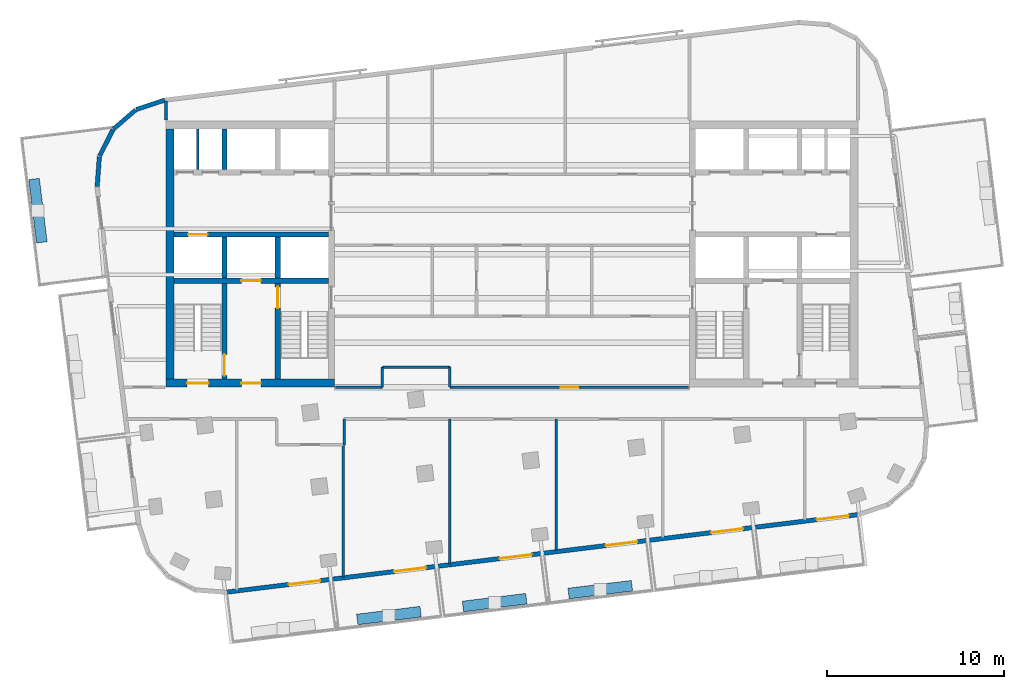
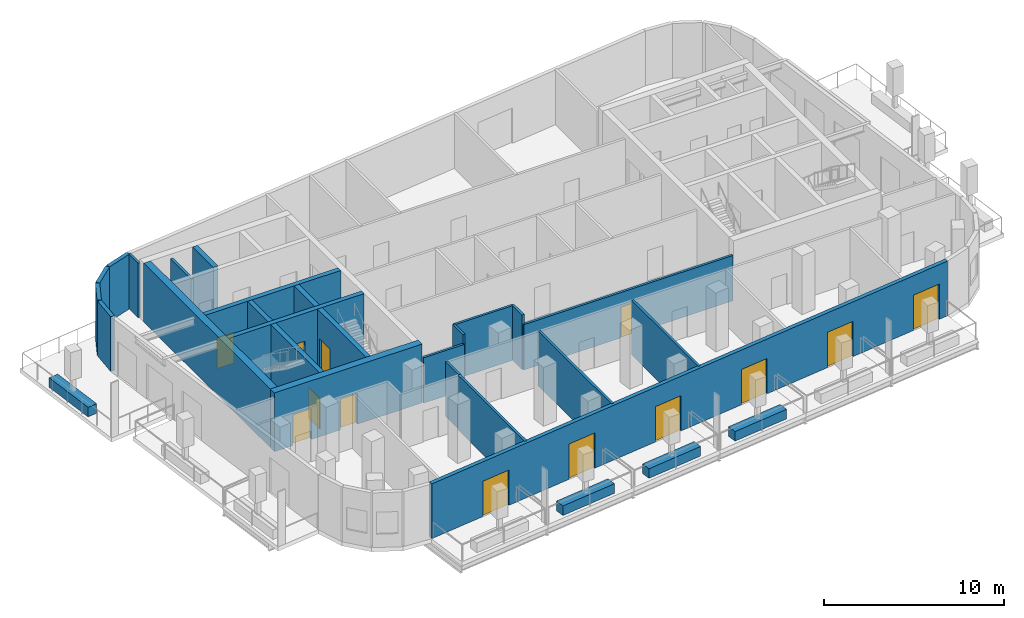
# One storey, part 3 of 10: 29 walls, 13 doors, 13 openings.
"""IFC4 building model written with IfcOpenShell, lengths in metres."""

from ifc_helpers import new_model, si_unit, direction, frame, frame_2d, origin, place, context, subcontext, project, spatial, rectangle, extrude, material, layer, layer_set, type_object, element, fill, save


model = new_model("IFC4")

# Units and contexts
model_context = context("Model", 3, precision=1e-05, world=origin(), true_north=direction((0.0, 1.0)))
body_context = subcontext(model_context, "Body", "Model", "MODEL_VIEW")
ifc_project = project(units=[si_unit("LENGTHUNIT", "METRE"), si_unit("AREAUNIT", "SQUARE_METRE"), si_unit("VOLUMEUNIT", "CUBIC_METRE"), si_unit("PLANEANGLEUNIT", "RADIAN"), si_unit("MASSUNIT", "GRAM", prefix="KILO")], contexts=[model_context])

# Site, building, storey
site_placement = place(None, origin())
site = spatial("IfcSite", under=ifc_project, at=site_placement, CompositionType="ELEMENT")
building_placement = place(site_placement, origin())
building = spatial("IfcBuilding", under=site, at=building_placement, Name="Torana Hotel and Residences", CompositionType="ELEMENT")
storey_placement = place(building_placement, frame((0.0, 0.0, 334.60009765625)))
storey = spatial("IfcBuildingStorey", under=building, at=storey_placement, Name="L88", CompositionType="ELEMENT", Elevation=334.60009765625)

# Wall, opening, door
ifc_material_1 = material(Name="Concrete C60/75", Category="concrete")
ifc_layer_1 = layer(ifc_material_1, 0.300048828125)
ifc_layer_set_1 = layer_set([ifc_layer_1], Name="CORE WALL 300 C60/75")
wall_type_1 = type_object("IfcWallType", Name="CORE WALL 300 C60/75", PredefinedType="SHEAR", material=ifc_layer_set_1)
wall_1_placement = place(storey_placement, frame((-19.050048828125, -6.39990234375, 0.0), z_axis=(0.0, 0.0, 1.0), x_axis=(1.0, 0.0, 0.0)))
wall_1 = element("IfcWall", 1, at=wall_1_placement, inside=storey, type_object=wall_type_1, Name="Core wall W row-S", PredefinedType="SHEAR", context=body_context, shape_type="SweptSolid", body=[
    extrude(rectangle(XDim=8.699951171875, YDim=0.300048828125, at=frame_2d((4.35009765625, 0.0))), origin(), (0.0, 0.0, 1.0), 4.0),
])
opening_1_placement = place(wall_1_placement, frame((0.800048828125, 0.0, 0.0)))
opening_1 = element("IfcOpeningElement", 2, at=opening_1_placement, cuts=wall_1, Name="Opening LD", PredefinedType="OPENING", context=body_context, shape_type="SweptSolid", body=[
    extrude(rectangle(XDim=1.10009765625, YDim=2.10009765625, at=frame_2d((0.550048828125, 1.050048828125))), frame((0.0, 0.159912109375, 0.0), z_axis=(0.0, -1.0, 0.0), x_axis=(1.0, 0.0, 0.0)), (0.0, 0.0, 1.0), 0.320068359375),
])
ifc_material_2 = material(Name="Stainless steel 316", Category="steel")
door_type_1 = type_object("IfcDoorType", Name="LIFT LANDING DOOR LD 1100x2100", OperationType="DOUBLE_DOOR_SLIDING", PredefinedType="USERDEFINED", material=ifc_material_2)
door_1_placement = place(opening_1_placement, origin())
door_1 = element("IfcDoor", 3, at=door_1_placement, inside=storey, type_object=door_type_1, Name="Lift landing door SV1 L88", ObjectType="LIFT LANDING DOOR", OperationType="DOUBLE_DOOR_SLIDING", OverallHeight=2.10009765625, OverallWidth=1.10009765625, PredefinedType="USERDEFINED", context=body_context, shape_type="SweptSolid", body=[
    extrude(rectangle(XDim=1.10009765625, YDim=2.10009765625, at=frame_2d((0.550048828125, 1.050048828125))), frame((0.0, 0.02490234375, 0.0), z_axis=(0.0, -1.0, 0.0), x_axis=(1.0, 0.0, 0.0)), (0.0, 0.0, 1.0), 0.050048828125),
])
fill(opening_1, door_1)

wall_2_placement = place(storey_placement, frame((-19.050048828125, -9.0, 0.0), z_axis=(0.0, 0.0, 1.0), x_axis=(1.0, 0.0, 0.0)))
wall_2 = element("IfcWall", 4, at=wall_2_placement, inside=storey, type_object=wall_type_1, Name="Core wall W band", PredefinedType="SHEAR", context=body_context, shape_type="SweptSolid", body=[
    extrude(rectangle(XDim=8.699951171875, YDim=0.300048828125, at=frame_2d((4.35009765625, 0.0))), origin(), (0.0, 0.0, 1.0), 4.0),
])
opening_2_placement = place(wall_2_placement, frame((3.800048828125, 0.0, 0.0)))
opening_2 = element("IfcOpeningElement", 5, at=opening_2_placement, cuts=wall_2, Name="Opening LD", PredefinedType="OPENING", context=body_context, shape_type="SweptSolid", body=[
    extrude(rectangle(XDim=1.10009765625, YDim=2.10009765625, at=frame_2d((0.550048828125, 1.050048828125))), frame((0.0, 0.159912109375, 0.0), z_axis=(0.0, -1.0, 0.0), x_axis=(1.0, 0.0, 0.0)), (0.0, 0.0, 1.0), 0.320068359375),
])
door_2_placement = place(opening_2_placement, origin())
door_2 = element("IfcDoor", 6, at=door_2_placement, inside=storey, type_object=door_type_1, Name="Lift landing door FF1 L88", ObjectType="LIFT LANDING DOOR", OperationType="DOUBLE_DOOR_SLIDING", OverallHeight=2.10009765625, OverallWidth=1.10009765625, PredefinedType="USERDEFINED", context=body_context, shape_type="SweptSolid", body=[
    extrude(rectangle(XDim=1.10009765625, YDim=2.10009765625, at=frame_2d((0.550048828125, 1.050048828125))), frame((0.0, 0.02490234375, 0.0), z_axis=(0.0, -1.0, 0.0), x_axis=(1.0, 0.0, 0.0)), (0.0, 0.0, 1.0), 0.050048828125),
])
fill(opening_2, door_2)

# Wall
wall_3_placement = place(storey_placement, frame((-13.199951171875, -8.85009765625, 0.0), z_axis=(0.0, 0.0, 1.0), x_axis=(0.0, 1.0, 0.0)))
element("IfcWall", 7, at=wall_3_placement, inside=storey, type_object=wall_type_1, Name="Core wall W x3.05-S", PredefinedType="SHEAR", context=body_context, shape_type="SweptSolid", body=[
    extrude(rectangle(XDim=2.300048828125, YDim=0.300048828125, at=frame_2d((1.14990234375, 0.0))), origin(), (0.0, 0.0, 1.0), 4.0),
])

# Wall, opening, door
wall_4_placement = place(storey_placement, frame((-13.199951171875, -14.550048828125, 0.0), z_axis=(0.0, 0.0, 1.0), x_axis=(0.0, 1.0, 0.0)))
wall_4 = element("IfcWall", 8, at=wall_4_placement, inside=storey, type_object=wall_type_1, Name="Core wall W x3.05-band", PredefinedType="SHEAR", context=body_context, shape_type="SweptSolid", body=[
    extrude(rectangle(XDim=5.400146484375, YDim=0.300048828125, at=frame_2d((2.7001953125, 0.0))), origin(), (0.0, 0.0, 1.0), 4.0),
])
opening_3_placement = place(wall_4_placement, frame((4.0, 0.0, 0.0)))
opening_3 = element("IfcOpeningElement", 9, at=opening_3_placement, cuts=wall_4, Name="Opening L88-08", PredefinedType="OPENING", context=body_context, shape_type="SweptSolid", body=[
    extrude(rectangle(XDim=1.199951171875, YDim=2.10009765625, at=frame_2d((0.60009765625, 1.050048828125))), frame((0.0, 0.159912109375, 0.0), z_axis=(0.0, -1.0, 0.0), x_axis=(1.0, 0.0, 0.0)), (0.0, 0.0, 1.0), 0.320068359375),
])
ifc_material_3 = material(Name="Steel S235", Category="steel")
door_type_2 = type_object("IfcDoorType", Name="STAIR FIRE DOOR D3 1200x2100", OperationType="SINGLE_SWING_LEFT", PredefinedType="DOOR", material=ifc_material_3)
door_3_placement = place(opening_3_placement, frame((0.60009765625, 0.0, 0.0), z_axis=(0.0, 0.0, 1.0), x_axis=(-1.0, 0.0, 0.0)))
door_3 = element("IfcDoor", 10, at=door_3_placement, inside=storey, type_object=door_type_2, Name="Stair-A-lobby door L88", OperationType="SINGLE_SWING_RIGHT", OverallHeight=2.10009765625, OverallWidth=1.199951171875, PredefinedType="DOOR", context=body_context, shape_type="SweptSolid", body=[
    extrude(rectangle(XDim=1.199951171875, YDim=2.10009765625, at=frame_2d((0.0, 1.050048828125))), frame((0.0, -0.02490234375, 0.0), z_axis=(0.0, 1.0, 0.0), x_axis=(-1.0, 0.0, 0.0)), (0.0, 0.0, 1.0), 0.050048828125),
])
fill(opening_3, door_3)

# Walls
for number, where, z_axis, x_axis, name in (
    (11, (-16.199951171875, -2.75, 0.0), (0.0, 0.0, 1.0), (0.0, 1.0, 0.0), "Core wall W x6.05-N"),
    (12, (-16.199951171875, -8.85009765625, 0.0), (0.0, 0.0, 1.0), (0.0, 1.0, 0.0), "Core wall W x6.05-S"),
):
    element("IfcWall", number, at=place(storey_placement, frame(where, z_axis=z_axis, x_axis=x_axis)), inside=storey, type_object=wall_type_1, Name=name, PredefinedType="SHEAR", context=body_context, shape_type="SweptSolid", body=[
        extrude(rectangle(XDim=2.300048828125, YDim=0.300048828125, at=frame_2d((1.14990234375, 0.0))), origin(), (0.0, 0.0, 1.0), 4.0),
    ])

# Wall, opening, door
wall_5_placement = place(storey_placement, frame((-16.199951171875, -14.550048828125, 0.0), z_axis=(0.0, 0.0, 1.0), x_axis=(0.0, 1.0, 0.0)))
wall_5 = element("IfcWall", 13, at=wall_5_placement, inside=storey, type_object=wall_type_1, Name="Core wall W x6.05-band", PredefinedType="SHEAR", context=body_context, shape_type="SweptSolid", body=[
    extrude(rectangle(XDim=5.400146484375, YDim=0.300048828125, at=frame_2d((2.7001953125, 0.0))), origin(), (0.0, 0.0, 1.0), 4.0),
])
opening_4_placement = place(wall_5_placement, frame((0.199951171875, 0.0, 0.0)))
opening_4 = element("IfcOpeningElement", 14, at=opening_4_placement, cuts=wall_5, Name="Opening L88-09", PredefinedType="OPENING", context=body_context, shape_type="SweptSolid", body=[
    extrude(rectangle(XDim=1.199951171875, YDim=2.10009765625, at=frame_2d((0.60009765625, 1.050048828125))), frame((0.0, 0.159912109375, 0.0), z_axis=(0.0, -1.0, 0.0), x_axis=(1.0, 0.0, 0.0)), (0.0, 0.0, 1.0), 0.320068359375),
])
door_4_placement = place(opening_4_placement, origin())
door_4 = element("IfcDoor", 15, at=door_4_placement, inside=storey, type_object=door_type_2, Name="Stair-B-lobby door L88", OperationType="SINGLE_SWING_RIGHT", OverallHeight=2.10009765625, OverallWidth=1.199951171875, PredefinedType="DOOR", context=body_context, shape_type="SweptSolid", body=[
    extrude(rectangle(XDim=1.199951171875, YDim=2.10009765625, at=frame_2d((0.60009765625, 1.050048828125))), frame((0.0, 0.02490234375, 0.0), z_axis=(0.0, -1.0, 0.0), x_axis=(1.0, 0.0, 0.0)), (0.0, 0.0, 1.0), 0.050048828125),
])
fill(opening_4, door_4)

# Wall, openings, doors
ifc_material_4 = material(Name="Concrete C60/75", Category="concrete")
ifc_layer_2 = layer(ifc_material_4, 0.449951171875)
ifc_layer_set_2 = layer_set([ifc_layer_2], Name="CORE WALL 450 C60/75")
wall_type_2 = type_object("IfcWallType", Name="CORE WALL 450 C60/75", PredefinedType="SHEAR", material=ifc_layer_set_2)
wall_6_placement = place(storey_placement, frame((-19.5, -14.77490234375, 0.0), z_axis=(0.0, 0.0, 1.0), x_axis=(1.0, 0.0, 0.0)))
wall_6 = element("IfcWall", 16, at=wall_6_placement, inside=storey, type_object=wall_type_2, Name="Core wall W front", PredefinedType="SHEAR", context=body_context, shape_type="SweptSolid", body=[
    extrude(rectangle(XDim=9.5, YDim=0.449951171875, at=frame_2d((4.75, 0.0))), origin(), (0.0, 0.0, 1.0), 4.0),
])
opening_5_placement = place(wall_6_placement, frame((1.199951171875, 0.0, 0.0)))
opening_5 = element("IfcOpeningElement", 17, at=opening_5_placement, cuts=wall_6, Name="Opening L88-04", PredefinedType="OPENING", context=body_context, shape_type="SweptSolid", body=[
    extrude(rectangle(XDim=1.199951171875, YDim=2.10009765625, at=frame_2d((0.60009765625, 1.050048828125))), frame((0.0, 0.23486328125, 0.0), z_axis=(0.0, -1.0, 0.0), x_axis=(1.0, 0.0, 0.0)), (0.0, 0.0, 1.0), 0.469970703125),
])
opening_6_placement = place(wall_6_placement, frame((4.25, 0.0, 0.0)))
opening_6 = element("IfcOpeningElement", 18, at=opening_6_placement, cuts=wall_6, Name="Opening L88-05", PredefinedType="OPENING", context=body_context, shape_type="SweptSolid", body=[
    extrude(rectangle(XDim=1.10009765625, YDim=2.10009765625, at=frame_2d((0.550048828125, 1.050048828125))), frame((0.0, 0.23486328125, 0.0), z_axis=(0.0, -1.0, 0.0), x_axis=(1.0, 0.0, 0.0)), (0.0, 0.0, 1.0), 0.469970703125),
])
ifc_material_5 = material(Name="Steel S235", Category="steel")
door_type_3 = type_object("IfcDoorType", Name="FIRE-FIGHTING LOBBY DOOR D8 1100x2100", OperationType="SINGLE_SWING_LEFT", PredefinedType="DOOR", material=ifc_material_5)
door_5_placement = place(opening_6_placement, origin())
door_5 = element("IfcDoor", 19, at=door_5_placement, inside=storey, type_object=door_type_3, Name="FF-lobby door L88", OperationType="SINGLE_SWING_RIGHT", OverallHeight=2.10009765625, OverallWidth=1.10009765625, PredefinedType="DOOR", context=body_context, shape_type="SweptSolid", body=[
    extrude(rectangle(XDim=1.10009765625, YDim=2.10009765625, at=frame_2d((0.550048828125, 1.050048828125))), frame((0.0, 0.02490234375, 0.0), z_axis=(0.0, -1.0, 0.0), x_axis=(1.0, 0.0, 0.0)), (0.0, 0.0, 1.0), 0.050048828125),
])
fill(opening_6, door_5)
door_6_placement = place(opening_5_placement, origin())
door_6 = element("IfcDoor", 20, at=door_6_placement, inside=storey, type_object=door_type_2, Name="Stair-B door L88", OperationType="SINGLE_SWING_RIGHT", OverallHeight=2.10009765625, OverallWidth=1.199951171875, PredefinedType="DOOR", context=body_context, shape_type="SweptSolid", body=[
    extrude(rectangle(XDim=1.199951171875, YDim=2.10009765625, at=frame_2d((0.60009765625, 1.050048828125))), frame((0.0, 0.02490234375, 0.0), z_axis=(0.0, -1.0, 0.0), x_axis=(1.0, 0.0, 0.0)), (0.0, 0.0, 1.0), 0.050048828125),
])
fill(opening_5, door_6)

# Walls
wall_7_placement = place(storey_placement, frame((-19.27490234375, -14.550048828125, 0.0), z_axis=(0.0, 0.0, 1.0), x_axis=(0.0, 1.0, 0.0)))
element("IfcWall", 21, at=wall_7_placement, inside=storey, type_object=wall_type_2, Name="Core wall W outer", PredefinedType="SHEAR", context=body_context, shape_type="SweptSolid", body=[
    extrude(rectangle(XDim=14.10009765625, YDim=0.449951171875, at=frame_2d((7.050048828125, 0.0))), origin(), (0.0, 0.0, 1.0), 4.0),
])
ifc_material_6 = material(Name="Black aluminium composite panel", Category="aluminium")
ifc_layer_3 = layer(ifc_material_6, 0.00390625, Name="Cladding", Category="cladding")
ifc_material_7 = material(Name="Ventilated air cavity")
ifc_layer_4 = layer(ifc_material_7, 0.0400390625, Name="Ventilated cavity", Category="cavity")
ifc_material_8 = material(Name="Mineral wool insulation")
ifc_layer_5 = layer(ifc_material_8, 0.090087890625, Name="Insulation", Category="insulation")
ifc_material_9 = material(Name="Steel S280GD", Category="steel")
ifc_layer_6 = layer(ifc_material_9, 0.092041015625, Name="Steel stud frame", Category="structure")
ifc_material_10 = material(Name="Fire rated plasterboard")
ifc_layer_7 = layer(ifc_material_10, 0.011962890625, Name="Inner board", Category="finish")
ifc_layer_8 = layer(ifc_material_10, 0.011962890625, Name="Second board", Category="finish")
ifc_layer_set_3 = layer_set([ifc_layer_3, ifc_layer_4, ifc_layer_5, ifc_layer_6, ifc_layer_7, ifc_layer_8], Name="EW1 EXTERNAL WALL BLACK METAL CLAD 250")
wall_type_3 = type_object("IfcWallType", Name="EW1 EXTERNAL WALL BLACK METAL CLAD 250", PredefinedType="SOLIDWALL", material=ifc_layer_set_3)
wall_8_placement = place(storey_placement, frame((-19.568359375, 1.1748046875, 0.0), z_axis=(0.0, 0.0, 1.0), x_axis=(-0.949694735798, -0.313177120489, 0.0)))
element("IfcWall", 22, at=wall_8_placement, inside=storey, type_object=wall_type_3, Name="External wall L88 e0.5", PredefinedType="SOLIDWALL", context=body_context, shape_type="SweptSolid", body=[
    extrude(rectangle(XDim=1.681396484375, YDim=0.25, at=frame_2d((0.8408203125, 0.0))), origin(), (0.0, 0.0, 1.0), 3.719970703125),
])
wall_9_placement = place(storey_placement, frame((-21.207763671875, 0.624267578125, 0.0), z_axis=(0.0, 0.0, 1.0), x_axis=(-0.757568315466, -0.652755886531, 0.0)))
element("IfcWall", 23, at=wall_9_placement, inside=storey, type_object=wall_type_3, Name="External wall L88 e0.6", PredefinedType="SOLIDWALL", context=body_context, shape_type="SweptSolid", body=[
    extrude(rectangle(XDim=1.65625, YDim=0.25, at=frame_2d((0.828125, 0.0))), origin(), (0.0, 0.0, 1.0), 3.719970703125),
])
wall_10_placement = place(storey_placement, frame((-22.49267578125, -0.495361328125, 0.0), z_axis=(0.0, 0.0, 1.0), x_axis=(-0.449982385812, -0.893037430604, 0.0)))
element("IfcWall", 24, at=wall_10_placement, inside=storey, type_object=wall_type_3, Name="External wall L88 e0.7", PredefinedType="SOLIDWALL", context=body_context, shape_type="SweptSolid", body=[
    extrude(rectangle(XDim=1.656494140625, YDim=0.25, at=frame_2d((0.828125, 0.0))), origin(), (0.0, 0.0, 1.0), 3.719970703125),
])
wall_11_placement = place(storey_placement, frame((-23.251220703125, -2.021484375, 0.0), z_axis=(0.0, 0.0, 1.0), x_axis=(-0.074053534713, -0.997254267475, 0.0)))
element("IfcWall", 25, at=wall_11_placement, inside=storey, type_object=wall_type_3, Name="External wall L88 e0.8", PredefinedType="SOLIDWALL", context=body_context, shape_type="SweptSolid", body=[
    extrude(rectangle(XDim=1.681396484375, YDim=0.25, at=frame_2d((0.8408203125, 0.0))), origin(), (0.0, 0.0, 1.0), 3.719970703125),
])

# Wall, openings, doors
wall_12_placement = place(storey_placement, frame((-16.13818359375, -26.561279296875, 0.0), z_axis=(0.0, 0.0, 1.0), x_axis=(0.992546726876, 0.121864658405, 0.0)))
wall_12 = element("IfcWall", 26, at=wall_12_placement, inside=storey, type_object=wall_type_3, Name="External wall L88 e0.14", PredefinedType="SOLIDWALL", context=body_context, shape_type="SweptSolid", body=[
    extrude(rectangle(XDim=35.95068359375, YDim=0.25, at=frame_2d((17.975341796875, 0.0))), origin(), (0.0, 0.0, 1.0), 3.719970703125),
])
opening_7_placement = place(wall_12_placement, frame((3.575439453125, 0.0, 0.0)))
opening_7 = element("IfcOpeningElement", 27, at=opening_7_placement, cuts=wall_12, Name="Opening L88-E01", PredefinedType="OPENING", context=body_context, shape_type="SweptSolid", body=[
    extrude(rectangle(XDim=1.800048828125, YDim=2.39990234375, at=frame_2d((0.89990234375, 1.199951171875))), frame((0.0, 0.135009765625, 0.0), z_axis=(0.0, -1.0, 0.0), x_axis=(1.0, 0.0, 0.0)), (0.0, 0.0, 1.0), 0.27001953125),
])
opening_8_placement = place(wall_12_placement, frame((9.5751953125, 0.0, 0.0)))
opening_8 = element("IfcOpeningElement", 28, at=opening_8_placement, cuts=wall_12, Name="Opening L88-E02", PredefinedType="OPENING", context=body_context, shape_type="SweptSolid", body=[
    extrude(rectangle(XDim=1.800048828125, YDim=2.39990234375, at=frame_2d((0.89990234375, 1.199951171875))), frame((0.0, 0.135009765625, 0.0), z_axis=(0.0, -1.0, 0.0), x_axis=(1.0, 0.0, 0.0)), (0.0, 0.0, 1.0), 0.27001953125),
])
opening_9_placement = place(wall_12_placement, frame((15.57568359375, 0.0, 0.0)))
opening_9 = element("IfcOpeningElement", 29, at=opening_9_placement, cuts=wall_12, Name="Opening L88-E03", PredefinedType="OPENING", context=body_context, shape_type="SweptSolid", body=[
    extrude(rectangle(XDim=1.800048828125, YDim=2.39990234375, at=frame_2d((0.89990234375, 1.199951171875))), frame((0.0, 0.135009765625, 0.0), z_axis=(0.0, -1.0, 0.0), x_axis=(1.0, 0.0, 0.0)), (0.0, 0.0, 1.0), 0.27001953125),
])
opening_10_placement = place(wall_12_placement, frame((21.575439453125, 0.0, 0.0)))
opening_10 = element("IfcOpeningElement", 30, at=opening_10_placement, cuts=wall_12, Name="Opening L88-E04", PredefinedType="OPENING", context=body_context, shape_type="SweptSolid", body=[
    extrude(rectangle(XDim=1.800048828125, YDim=2.39990234375, at=frame_2d((0.89990234375, 1.199951171875))), frame((0.0, 0.135009765625, 0.0), z_axis=(0.0, -1.0, 0.0), x_axis=(1.0, 0.0, 0.0)), (0.0, 0.0, 1.0), 0.27001953125),
])
opening_11_placement = place(wall_12_placement, frame((27.5751953125, 0.0, 0.0)))
opening_11 = element("IfcOpeningElement", 31, at=opening_11_placement, cuts=wall_12, Name="Opening L88-E05", PredefinedType="OPENING", context=body_context, shape_type="SweptSolid", body=[
    extrude(rectangle(XDim=1.800048828125, YDim=2.39990234375, at=frame_2d((0.89990234375, 1.199951171875))), frame((0.0, 0.135009765625, 0.0), z_axis=(0.0, -1.0, 0.0), x_axis=(1.0, 0.0, 0.0)), (0.0, 0.0, 1.0), 0.27001953125),
])
opening_12_placement = place(wall_12_placement, frame((33.574951171875, 0.0, 0.0)))
opening_12 = element("IfcOpeningElement", 32, at=opening_12_placement, cuts=wall_12, Name="Opening L88-E06", PredefinedType="OPENING", context=body_context, shape_type="SweptSolid", body=[
    extrude(rectangle(XDim=1.800048828125, YDim=2.39990234375, at=frame_2d((0.89990234375, 1.199951171875))), frame((0.0, 0.135009765625, 0.0), z_axis=(0.0, -1.0, 0.0), x_axis=(1.0, 0.0, 0.0)), (0.0, 0.0, 1.0), 0.27001953125),
])
ifc_material_11 = material(Name="Dark glass in black aluminium frame", Category="aluminium")
door_type_4 = type_object("IfcDoorType", Name="DB1 BALCONY DOOR 1800x2400", OperationType="DOUBLE_DOOR_SINGLE_SWING", PredefinedType="DOOR", material=ifc_material_11)
door_7_placement = place(opening_7_placement, origin())
door_7 = element("IfcDoor", 33, at=door_7_placement, inside=storey, type_object=door_type_4, Name="Balcony door L88", OperationType="DOUBLE_DOOR_SINGLE_SWING", OverallHeight=2.39990234375, OverallWidth=1.800048828125, PredefinedType="DOOR", context=body_context, shape_type="SweptSolid", body=[
    extrude(rectangle(XDim=1.800048828125, YDim=2.39990234375, at=frame_2d((0.89990234375, 1.199951171875))), frame((0.0, 0.02490234375, 0.0), z_axis=(0.0, -1.0, 0.0), x_axis=(1.0, 0.0, 0.0)), (0.0, 0.0, 1.0), 0.050048828125),
])
fill(opening_7, door_7)
door_8_placement = place(opening_8_placement, origin())
door_8 = element("IfcDoor", 34, at=door_8_placement, inside=storey, type_object=door_type_4, Name="Balcony door L88", OperationType="DOUBLE_DOOR_SINGLE_SWING", OverallHeight=2.39990234375, OverallWidth=1.800048828125, PredefinedType="DOOR", context=body_context, shape_type="SweptSolid", body=[
    extrude(rectangle(XDim=1.800048828125, YDim=2.39990234375, at=frame_2d((0.89990234375, 1.199951171875))), frame((0.0, 0.02490234375, 0.0), z_axis=(0.0, -1.0, 0.0), x_axis=(1.0, 0.0, 0.0)), (0.0, 0.0, 1.0), 0.050048828125),
])
fill(opening_8, door_8)
door_9_placement = place(opening_9_placement, origin())
door_9 = element("IfcDoor", 35, at=door_9_placement, inside=storey, type_object=door_type_4, Name="Balcony door L88", OperationType="DOUBLE_DOOR_SINGLE_SWING", OverallHeight=2.39990234375, OverallWidth=1.800048828125, PredefinedType="DOOR", context=body_context, shape_type="SweptSolid", body=[
    extrude(rectangle(XDim=1.800048828125, YDim=2.39990234375, at=frame_2d((0.89990234375, 1.199951171875))), frame((0.0, 0.02490234375, 0.0), z_axis=(0.0, -1.0, 0.0), x_axis=(1.0, 0.0, 0.0)), (0.0, 0.0, 1.0), 0.050048828125),
])
fill(opening_9, door_9)
door_10_placement = place(opening_10_placement, origin())
door_10 = element("IfcDoor", 36, at=door_10_placement, inside=storey, type_object=door_type_4, Name="Balcony door L88", OperationType="DOUBLE_DOOR_SINGLE_SWING", OverallHeight=2.39990234375, OverallWidth=1.800048828125, PredefinedType="DOOR", context=body_context, shape_type="SweptSolid", body=[
    extrude(rectangle(XDim=1.800048828125, YDim=2.39990234375, at=frame_2d((0.89990234375, 1.199951171875))), frame((0.0, 0.02490234375, 0.0), z_axis=(0.0, -1.0, 0.0), x_axis=(1.0, 0.0, 0.0)), (0.0, 0.0, 1.0), 0.050048828125),
])
fill(opening_10, door_10)
door_11_placement = place(opening_11_placement, origin())
door_11 = element("IfcDoor", 37, at=door_11_placement, inside=storey, type_object=door_type_4, Name="Balcony door L88", OperationType="DOUBLE_DOOR_SINGLE_SWING", OverallHeight=2.39990234375, OverallWidth=1.800048828125, PredefinedType="DOOR", context=body_context, shape_type="SweptSolid", body=[
    extrude(rectangle(XDim=1.800048828125, YDim=2.39990234375, at=frame_2d((0.89990234375, 1.199951171875))), frame((0.0, 0.02490234375, 0.0), z_axis=(0.0, -1.0, 0.0), x_axis=(1.0, 0.0, 0.0)), (0.0, 0.0, 1.0), 0.050048828125),
])
fill(opening_11, door_11)
door_12_placement = place(opening_12_placement, origin())
door_12 = element("IfcDoor", 38, at=door_12_placement, inside=storey, type_object=door_type_4, Name="Balcony door L88", OperationType="DOUBLE_DOOR_SINGLE_SWING", OverallHeight=2.39990234375, OverallWidth=1.800048828125, PredefinedType="DOOR", context=body_context, shape_type="SweptSolid", body=[
    extrude(rectangle(XDim=1.800048828125, YDim=2.39990234375, at=frame_2d((0.89990234375, 1.199951171875))), frame((0.0, 0.02490234375, 0.0), z_axis=(0.0, -1.0, 0.0), x_axis=(1.0, 0.0, 0.0)), (0.0, 0.0, 1.0), 0.050048828125),
])
fill(opening_12, door_12)

# Walls
ifc_material_12 = material(Name="Gypsum plaster")
ifc_layer_9 = layer(ifc_material_12, 0.014892578125, Name="Plaster", Category="finish")
ifc_material_13 = material(Name="Concrete blockwork", Category="masonry")
ifc_layer_10 = layer(ifc_material_13, 0.1201171875, Name="Blockwork", Category="structure")
ifc_layer_11 = layer(ifc_material_12, 0.014892578125, Name="Plaster", Category="finish")
ifc_layer_set_4 = layer_set([ifc_layer_9, ifc_layer_10, ifc_layer_11], Name="FIRE PARTITION 150 BLOCKWORK")
wall_type_4 = type_object("IfcWallType", Name="FIRE PARTITION 150 BLOCKWORK", PredefinedType="PARTITIONING", material=ifc_layer_set_4)
wall_13_placement = place(storey_placement, frame((-17.699951171875, -2.75, 0.0), z_axis=(0.0, 0.0, 1.0), x_axis=(0.0, 1.0, 0.0)))
element("IfcWall", 39, at=wall_13_placement, inside=storey, type_object=wall_type_4, Name="Core partition L88", PredefinedType="PARTITIONING", context=body_context, shape_type="SweptSolid", body=[
    extrude(rectangle(XDim=2.300048828125, YDim=0.14990234375, at=frame_2d((1.14990234375, 0.0))), origin(), (0.0, 0.0, 1.0), 3.699951171875),
])
for number, where, z_axis, x_axis, name in (
    (40, (-3.506103515625, -15.0, 0.0), (0.0, 0.0, 1.0), (0.0, 1.0, 0.0), "Partition L88"),
    (41, (-7.30810546875, -15.0, 0.0), (0.0, 0.0, 1.0), (0.0, 1.0, 0.0), "Partition L88"),
):
    element("IfcWall", number, at=place(storey_placement, frame(where, z_axis=z_axis, x_axis=x_axis)), inside=storey, type_object=wall_type_4, Name=name, PredefinedType="PARTITIONING", context=body_context, shape_type="SweptSolid", body=[
        extrude(rectangle(XDim=1.1279296875, YDim=0.14990234375, at=frame_2d((0.56396484375, 0.0))), origin(), (0.0, 0.0, 1.0), 3.719970703125),
    ])
wall_14_placement = place(storey_placement, frame((-9.4609375, -18.2548828125, 0.0), z_axis=(0.0, 0.0, 1.0), x_axis=(0.0, 1.0, 0.0)))
element("IfcWall", 42, at=wall_14_placement, inside=storey, type_object=wall_type_4, Name="Partition L88", PredefinedType="PARTITIONING", context=body_context, shape_type="SweptSolid", body=[
    extrude(rectangle(XDim=1.454833984375, YDim=0.14990234375, at=frame_2d((0.7275390625, 0.0))), origin(), (0.0, 0.0, 1.0), 3.719970703125),
])
wall_15_placement = place(storey_placement, frame((-9.949951171875, -15.0, 0.0), z_axis=(0.0, 0.0, 1.0), x_axis=(1.0, 0.0, 0.0)))
element("IfcWall", 43, at=wall_15_placement, inside=storey, type_object=wall_type_4, Name="Partition L88", PredefinedType="PARTITIONING", context=body_context, shape_type="SweptSolid", body=[
    extrude(rectangle(XDim=2.641845703125, YDim=0.14990234375, at=frame_2d((1.32080078125, 0.0))), origin(), (0.0, 0.0, 1.0), 3.083984375),
])

# Wall, opening, door
wall_16_placement = place(storey_placement, frame((-3.506103515625, -15.0, 0.0), z_axis=(0.0, 0.0, 1.0), x_axis=(1.0, 0.0, 0.0)))
wall_16 = element("IfcWall", 44, at=wall_16_placement, inside=storey, type_object=wall_type_4, Name="Partition L88", PredefinedType="PARTITIONING", context=body_context, shape_type="SweptSolid", body=[
    extrude(rectangle(XDim=13.4560546875, YDim=0.14990234375, at=frame_2d((6.72802734375, 0.0))), origin(), (0.0, 0.0, 1.0), 3.083984375),
])
opening_13_placement = place(wall_16_placement, frame((6.2529296875, 0.0, 0.0)))
opening_13 = element("IfcOpeningElement", 45, at=opening_13_placement, cuts=wall_16, Name="Opening L88-19", PredefinedType="OPENING", context=body_context, shape_type="SweptSolid", body=[
    extrude(rectangle(XDim=1.0, YDim=2.10009765625, at=frame_2d((0.5, 1.050048828125))), frame((0.0, 0.0849609375, 0.0), z_axis=(0.0, -1.0, 0.0), x_axis=(1.0, 0.0, 0.0)), (0.0, 0.0, 1.0), 0.169921875),
])
ifc_material_14 = material(Name="Steel S235", Category="steel")
door_type_5 = type_object("IfcDoorType", Name="ENTRY FIRE DOOR D6 1000x2100", OperationType="SINGLE_SWING_LEFT", PredefinedType="DOOR", material=ifc_material_14)
door_13_placement = place(opening_13_placement, origin())
door_13 = element("IfcDoor", 46, at=door_13_placement, inside=storey, type_object=door_type_5, Name="Door L88", OperationType="SINGLE_SWING_RIGHT", OverallHeight=2.10009765625, OverallWidth=1.0, PredefinedType="DOOR", context=body_context, shape_type="SweptSolid", body=[
    extrude(rectangle(XDim=1.0, YDim=2.10009765625, at=frame_2d((0.5, 1.050048828125))), frame((0.0, 0.02490234375, 0.0), z_axis=(0.0, -1.0, 0.0), x_axis=(1.0, 0.0, 0.0)), (0.0, 0.0, 1.0), 0.050048828125),
])
fill(opening_13, door_13)

# Walls
wall_17_placement = place(storey_placement, frame((-7.30810546875, -13.8720703125, 0.0), z_axis=(0.0, 0.0, 1.0), x_axis=(1.0, 0.0, 0.0)))
element("IfcWall", 47, at=wall_17_placement, inside=storey, type_object=wall_type_4, Name="Partition L88", PredefinedType="PARTITIONING", context=body_context, shape_type="SweptSolid", body=[
    extrude(rectangle(XDim=3.802001953125, YDim=0.14990234375, at=frame_2d((1.90087890625, 0.0))), origin(), (0.0, 0.0, 1.0), 3.719970703125),
])
ifc_material_15 = material(Name="Gypsum plasterboard")
ifc_layer_12 = layer(ifc_material_15, 0.012451171875, Name="Plasterboard", Category="finish")
ifc_layer_13 = layer(ifc_material_15, 0.012451171875, Name="Plasterboard", Category="finish")
ifc_layer_14 = layer(ifc_material_9, 0.10009765625, Name="Steel studs with mineral wool", Category="insulation")
ifc_layer_15 = layer(ifc_material_15, 0.012451171875, Name="Plasterboard", Category="finish")
ifc_layer_16 = layer(ifc_material_15, 0.012451171875, Name="Plasterboard", Category="finish")
ifc_layer_set_5 = layer_set([ifc_layer_12, ifc_layer_13, ifc_layer_14, ifc_layer_15, ifc_layer_16], Name="PARTITION 150 PLASTERBOARD")
wall_type_5 = type_object("IfcWallType", Name="PARTITION 150 PLASTERBOARD", PredefinedType="PARTITIONING", material=ifc_layer_set_5)
wall_18_placement = place(storey_placement, frame((2.498046875, -24.2177734375, 0.0), z_axis=(0.0, 0.0, 1.0), x_axis=(0.0, 1.0, 0.0)))
element("IfcWall", 48, at=wall_18_placement, inside=storey, type_object=wall_type_5, Name="Partition L88", PredefinedType="PARTITIONING", context=body_context, shape_type="SweptSolid", body=[
    extrude(rectangle(XDim=7.417724609375, YDim=0.14990234375, at=frame_2d((3.708984375, 0.0))), origin(), (0.0, 0.0, 1.0), 3.719970703125),
])
wall_19_placement = place(storey_placement, frame((-3.501953125, -24.95458984375, 0.0), z_axis=(0.0, 0.0, 1.0), x_axis=(0.0, 1.0, 0.0)))
element("IfcWall", 49, at=wall_19_placement, inside=storey, type_object=wall_type_5, Name="Partition L88", PredefinedType="PARTITIONING", context=body_context, shape_type="SweptSolid", body=[
    extrude(rectangle(XDim=8.154541015625, YDim=0.14990234375, at=frame_2d((4.0771484375, 0.0))), origin(), (0.0, 0.0, 1.0), 3.719970703125),
])
wall_20_placement = place(storey_placement, frame((-9.501953125, -25.691162109375, 0.0), z_axis=(0.0, 0.0, 1.0), x_axis=(0.0, 1.0, 0.0)))
element("IfcWall", 50, at=wall_20_placement, inside=storey, type_object=wall_type_5, Name="Partition L88", PredefinedType="PARTITIONING", context=body_context, shape_type="SweptSolid", body=[
    extrude(rectangle(XDim=7.436279296875, YDim=0.14990234375, at=frame_2d((3.71826171875, 0.0))), origin(), (0.0, 0.0, 1.0), 3.719970703125),
])
wall_21_placement = place(storey_placement, frame((-19.5, 0.050048828125, 0.0), z_axis=(0.0, 0.0, 1.0), x_axis=(0.0, 1.0, 0.0)))
element("IfcWall", 51, at=wall_21_placement, inside=storey, type_object=wall_type_5, Name="Partition L88", PredefinedType="PARTITIONING", context=body_context, shape_type="SweptSolid", body=[
    extrude(rectangle(XDim=1.080322265625, YDim=0.14990234375, at=frame_2d((0.5400390625, 0.0))), origin(), (0.0, 0.0, 1.0), 3.719970703125),
])
ifc_material_16 = material(Name="Concrete C40/50 precast", Category="concrete")
ifc_layer_17 = layer(ifc_material_16, 0.10009765625, Name="Planter shell", Category="structure")
ifc_material_17 = material(Name="Root resistant membrane")
ifc_layer_18 = layer(ifc_material_17, 0.00390625, Name="Waterproofing membrane", Category="membrane")
ifc_material_18 = material(Name="Drainage board with filter fleece")
ifc_layer_19 = layer(ifc_material_18, 0.02001953125, Name="Drainage board", Category="drainage")
ifc_material_19 = material(Name="Growing medium")
ifc_layer_20 = layer(ifc_material_19, 0.47607421875, Name="Planting substrate", Category="soil")
ifc_layer_set_6 = layer_set([ifc_layer_17, ifc_layer_18, ifc_layer_19, ifc_layer_20], Name="PL1 BALCONY PLANTER 600")
wall_type_6 = type_object("IfcWallType", Name="PL1 BALCONY PLANTER 600", PredefinedType="USERDEFINED", material=ifc_layer_set_6)
for number, where, z_axis, x_axis, name in (
    (52, (-5.147705078125, -27.6552734375, 0.0), (0.0, 0.0, 1.0), (-0.992545758265, -0.121872547154, 0.0), "Planter 02"),
    (53, (0.8076171875, -26.924072265625, 0.0), (0.0, 0.0, 1.0), (-0.992545758265, -0.121872547154, 0.0), "Planter 03"),
):
    element("IfcWall", number, at=place(storey_placement, frame(where, z_axis=z_axis, x_axis=x_axis)), inside=storey, type_object=wall_type_6, Name=name, ObjectType="PLANTER", PredefinedType="USERDEFINED", context=body_context, shape_type="SweptSolid", body=[
        extrude(rectangle(XDim=3.599853515625, YDim=0.60009765625, at=frame_2d((1.7998046875, 0.0))), origin(), (0.0, 0.0, 1.0), 0.64990234375),
    ])
wall_22_placement = place(storey_placement, frame((6.762939453125, -26.19287109375, 0.0), z_axis=(0.0, 0.0, 1.0), x_axis=(-0.992546765488, -0.121864343918, 0.0)))
element("IfcWall", 54, at=wall_22_placement, inside=storey, type_object=wall_type_6, Name="Planter 04", ObjectType="PLANTER", PredefinedType="USERDEFINED", context=body_context, shape_type="SweptSolid", body=[
    extrude(rectangle(XDim=3.60009765625, YDim=0.60009765625, at=frame_2d((1.800048828125, 0.0))), origin(), (0.0, 0.0, 1.0), 0.64990234375),
])
wall_23_placement = place(storey_placement, frame((-26.492919921875, -6.8447265625, 0.0), z_axis=(0.0, 0.0, 1.0), x_axis=(-0.121872547154, 0.992545758265, 0.0)))
element("IfcWall", 55, at=wall_23_placement, inside=storey, type_object=wall_type_6, Name="Planter 09", ObjectType="PLANTER", PredefinedType="USERDEFINED", context=body_context, shape_type="SweptSolid", body=[
    extrude(rectangle(XDim=3.599853515625, YDim=0.60009765625, at=frame_2d((1.7998046875, 0.0))), origin(), (0.0, 0.0, 1.0), 0.64990234375),
])

save(model, "model.ifc")
